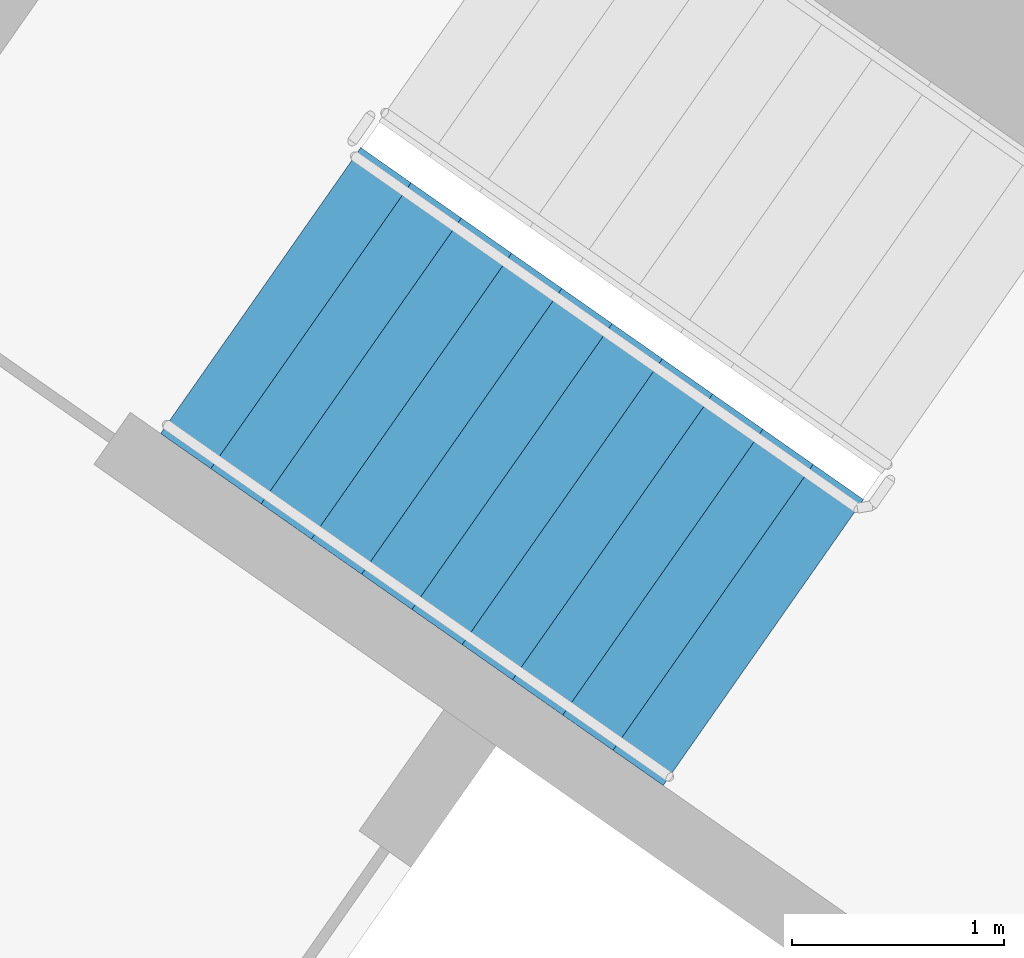
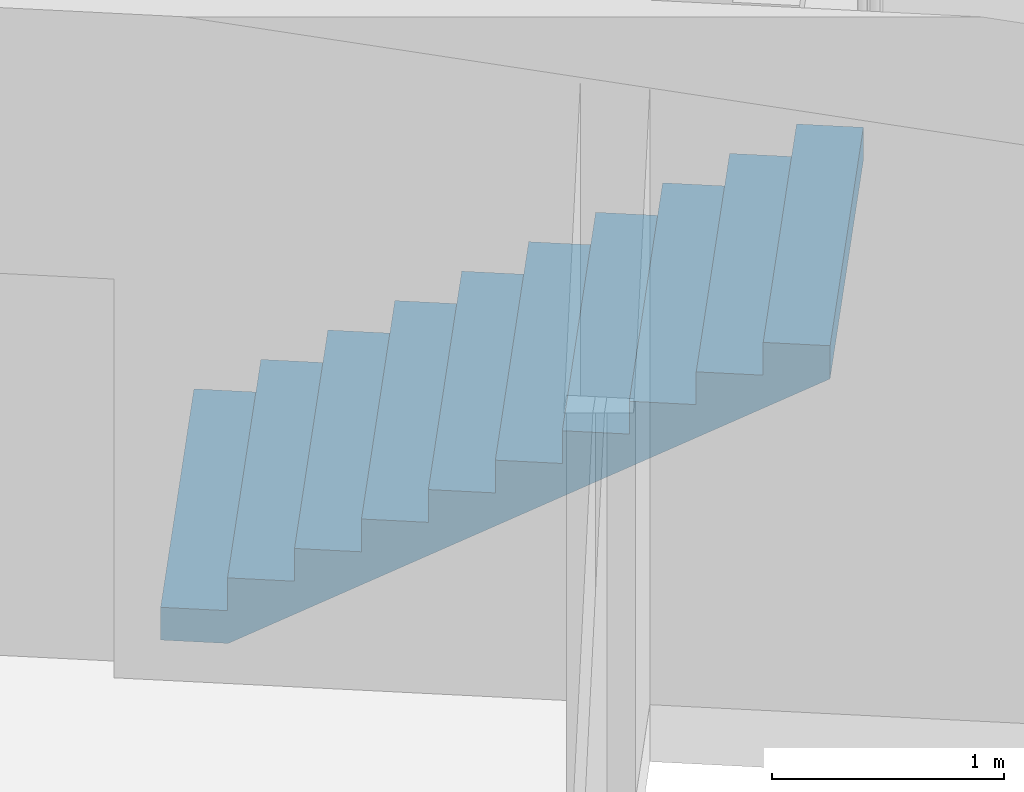
# One storey, part 10 of 29: 1 stair flight, 1 element without a shape of its own.
"""IFC4 building model written with IfcOpenShell, lengths in metres."""

from ifc_helpers import new_model, si_unit, direction, frame, origin, place, context, subcontext, project, spatial, faceted_brep, material, type_object, element, aggregate, save


model = new_model("IFC4")

# Units and contexts
model_context = context("Model", 3, precision=1e-05, world=origin(), true_north=direction((0.0, 1.0)))
body_context = subcontext(model_context, "Body", "Model", "MODEL_VIEW")
ifc_project = project(units=[si_unit("LENGTHUNIT", "METRE"), si_unit("AREAUNIT", "SQUARE_METRE"), si_unit("VOLUMEUNIT", "CUBIC_METRE"), si_unit("PLANEANGLEUNIT", "RADIAN"), si_unit("MASSUNIT", "GRAM", prefix="KILO")], contexts=[model_context])

# Site, building, storey
site_placement = place(None, origin())
site = spatial("IfcSite", under=ifc_project, at=site_placement, CompositionType="ELEMENT")
building_placement = place(site_placement, origin())
building = spatial("IfcBuilding", under=site, at=building_placement, Name="Qamariyya Broadcast Tower", CompositionType="ELEMENT")
storey_placement = place(building_placement, frame((0.0, 0.0, 258.10009765625)))
storey = spatial("IfcBuildingStorey", under=building, at=storey_placement, Name="L62", CompositionType="ELEMENT", Elevation=258.10009765625)

# Stair, stair flight
ifc_material = material(Name="Concrete C50/60", Category="concrete")
stair_type = type_object("IfcStairType", Name="Exit stair 22 risers of 173 mm", PredefinedType="HALF_TURN_STAIR", material=ifc_material)
stair_placement = place(storey_placement, origin())
stair = element("IfcStair", 1, at=stair_placement, inside=storey, type_object=stair_type, Name="L62 Stair W2", PredefinedType="HALF_TURN_STAIR")
stair_flight_type = type_object("IfcStairFlightType", Name="Exit stair flight 11 risers of 173 mm", PredefinedType="STRAIGHT", material=ifc_material)
stair_flight_placement = place(storey_placement, frame((-41.59130859375, -49.15966796875, 0.0), z_axis=(0.0, 0.0, 1.0), x_axis=(0.819152044289, -0.573576436351, 0.0)))
stair_flight = element("IfcStairFlight", 2, at=stair_flight_placement, type_object=stair_flight_type, Name="ST-W2 flight 1", NumberOfRisers=11, NumberOfTreads=10, PredefinedType="STRAIGHT", RiserHeight=0.172727273, TreadLength=0.29, context=body_context, shape_type="Brep", body=[
    faceted_brep([(0.0, 0.824951171875, 0.0), (0.0, 0.824951171875, 0.172607421875), (0.2900390625, 0.824951171875, 0.172607421875), (0.2900390625, 0.824951171875, 0.345458984375), (0.580078125, 0.824951171875, 0.345458984375), (0.580078125, 0.824951171875, 0.51806640625), (0.8701171875, 0.824951171875, 0.51806640625), (0.8701171875, 0.824951171875, 0.69091796875), (1.159912109375, 0.824951171875, 0.69091796875), (1.159912109375, 0.824951171875, 0.863525390625), (1.449951171875, 0.824951171875, 0.863525390625), (1.449951171875, 0.824951171875, 1.036376953125), (1.739990234375, 0.824951171875, 1.036376953125), (1.739990234375, 0.824951171875, 1.208984375), (2.030029296875, 0.824951171875, 1.208984375), (2.030029296875, 0.824951171875, 1.3818359375), (2.320068359375, 0.824951171875, 1.3818359375), (2.320068359375, 0.824951171875, 1.554443359375), (2.610107421875, 0.824951171875, 1.554443359375), (2.610107421875, 0.824951171875, 1.727294921875), (2.89990234375, 0.824951171875, 1.727294921875), (2.89990234375, 0.824951171875, 1.552734375), (0.29296875, 0.824951171875, 0.0), (0.29296875, -0.824951171875, 0.0), (2.89990234375, -0.824951171875, 1.552734375), (2.89990234375, -0.824951171875, 1.727294921875), (2.610107421875, -0.824951171875, 1.727294921875), (2.610107421875, -0.824951171875, 1.554443359375), (2.320068359375, -0.824951171875, 1.554443359375), (2.320068359375, -0.824951171875, 1.3818359375), (2.030029296875, -0.824951171875, 1.3818359375), (2.030029296875, -0.824951171875, 1.208984375), (1.739990234375, -0.824951171875, 1.208984375), (1.739990234375, -0.824951171875, 1.036376953125), (1.449951171875, -0.824951171875, 1.036376953125), (1.449951171875, -0.824951171875, 0.863525390625), (1.159912109375, -0.824951171875, 0.863525390625), (1.159912109375, -0.824951171875, 0.69091796875), (0.8701171875, -0.824951171875, 0.69091796875), (0.8701171875, -0.824951171875, 0.51806640625), (0.580078125, -0.824951171875, 0.51806640625), (0.580078125, -0.824951171875, 0.345458984375), (0.2900390625, -0.824951171875, 0.345458984375), (0.2900390625, -0.824951171875, 0.172607421875), (0.0, -0.824951171875, 0.172607421875), (0.0, -0.824951171875, 0.0), (0.0, 0.10009765625, 0.0), (0.0, 0.086669921875, 0.0), (0.0, 0.0732421875, 0.0), (0.0, 0.06005859375, 0.0), (0.0, 0.046630859375, 0.0), (0.0, 0.033447265625, 0.0), (0.0, 0.02001953125, 0.0), (0.0, 0.006591796875, 0.0), (0.0, -0.006591796875, 0.0), (0.0, -0.02001953125, 0.0), (0.0, -0.033447265625, 0.0), (0.0, -0.046630859375, 0.0), (0.0, -0.06005859375, 0.0), (0.0, -0.0732421875, 0.0), (0.0, -0.086669921875, 0.0), (0.0, -0.10009765625, 0.0), (0.0, -0.10009765625, 0.172607421875), (0.0, -0.086669921875, 0.172607421875), (0.0, -0.0732421875, 0.172607421875), (0.0, -0.06005859375, 0.172607421875), (0.0, -0.046630859375, 0.172607421875), (0.0, -0.033447265625, 0.172607421875), (0.0, -0.02001953125, 0.172607421875), (0.0, -0.006591796875, 0.172607421875), (0.0, 0.006591796875, 0.172607421875), (0.0, 0.02001953125, 0.172607421875), (0.0, 0.033447265625, 0.172607421875), (0.0, 0.046630859375, 0.172607421875), (0.0, 0.06005859375, 0.172607421875), (0.0, 0.0732421875, 0.172607421875), (0.0, 0.086669921875, 0.172607421875), (0.0, 0.10009765625, 0.172607421875), (0.2900390625, -0.10009765625, 0.172607421875), (0.2900390625, -0.086669921875, 0.172607421875), (0.2900390625, -0.0732421875, 0.172607421875), (0.2900390625, -0.06005859375, 0.172607421875), (0.2900390625, -0.046630859375, 0.172607421875), (0.2900390625, -0.033447265625, 0.172607421875), (0.2900390625, -0.02001953125, 0.172607421875), (0.2900390625, -0.006591796875, 0.172607421875), (0.2900390625, 0.006591796875, 0.172607421875), (0.2900390625, 0.02001953125, 0.172607421875), (0.2900390625, 0.033447265625, 0.172607421875), (0.2900390625, 0.046630859375, 0.172607421875), (0.2900390625, 0.06005859375, 0.172607421875), (0.2900390625, 0.0732421875, 0.172607421875), (0.2900390625, 0.086669921875, 0.172607421875), (0.2900390625, 0.10009765625, 0.172607421875), (0.2900390625, -0.10009765625, 0.345458984375), (0.2900390625, -0.086669921875, 0.345458984375), (0.2900390625, -0.0732421875, 0.345458984375), (0.2900390625, -0.06005859375, 0.345458984375), (0.2900390625, -0.046630859375, 0.345458984375), (0.2900390625, -0.033447265625, 0.345458984375), (0.2900390625, -0.02001953125, 0.345458984375), (0.2900390625, -0.006591796875, 0.345458984375), (0.2900390625, 0.006591796875, 0.345458984375), (0.2900390625, 0.02001953125, 0.345458984375), (0.2900390625, 0.033447265625, 0.345458984375), (0.2900390625, 0.046630859375, 0.345458984375), (0.2900390625, 0.06005859375, 0.345458984375), (0.2900390625, 0.0732421875, 0.345458984375), (0.2900390625, 0.086669921875, 0.345458984375), (0.2900390625, 0.10009765625, 0.345458984375), (0.580078125, -0.10009765625, 0.345458984375), (0.580078125, -0.086669921875, 0.345458984375), (0.580078125, -0.0732421875, 0.345458984375), (0.580078125, -0.06005859375, 0.345458984375), (0.580078125, -0.046630859375, 0.345458984375), (0.580078125, -0.033447265625, 0.345458984375), (0.580078125, -0.02001953125, 0.345458984375), (0.580078125, -0.006591796875, 0.345458984375), (0.580078125, 0.006591796875, 0.345458984375), (0.580078125, 0.02001953125, 0.345458984375), (0.580078125, 0.033447265625, 0.345458984375), (0.580078125, 0.046630859375, 0.345458984375), (0.580078125, 0.06005859375, 0.345458984375), (0.580078125, 0.0732421875, 0.345458984375), (0.580078125, 0.086669921875, 0.345458984375), (0.580078125, 0.10009765625, 0.345458984375), (0.580078125, -0.10009765625, 0.51806640625), (0.580078125, -0.086669921875, 0.51806640625), (0.580078125, -0.0732421875, 0.51806640625), (0.580078125, -0.06005859375, 0.51806640625), (0.580078125, -0.046630859375, 0.51806640625), (0.580078125, -0.033447265625, 0.51806640625), (0.580078125, -0.02001953125, 0.51806640625), (0.580078125, -0.006591796875, 0.51806640625), (0.580078125, 0.006591796875, 0.51806640625), (0.580078125, 0.02001953125, 0.51806640625), (0.580078125, 0.033447265625, 0.51806640625), (0.580078125, 0.046630859375, 0.51806640625), (0.580078125, 0.06005859375, 0.51806640625), (0.580078125, 0.0732421875, 0.51806640625), (0.580078125, 0.086669921875, 0.51806640625), (0.580078125, 0.10009765625, 0.51806640625), (0.8701171875, -0.10009765625, 0.51806640625), (0.8701171875, -0.086669921875, 0.51806640625), (0.8701171875, -0.0732421875, 0.51806640625), (0.8701171875, -0.06005859375, 0.51806640625), (0.8701171875, -0.046630859375, 0.51806640625), (0.8701171875, -0.033447265625, 0.51806640625), (0.8701171875, -0.02001953125, 0.51806640625), (0.8701171875, -0.006591796875, 0.51806640625), (0.8701171875, 0.006591796875, 0.51806640625), (0.8701171875, 0.02001953125, 0.51806640625), (0.8701171875, 0.033447265625, 0.51806640625), (0.8701171875, 0.046630859375, 0.51806640625), (0.8701171875, 0.06005859375, 0.51806640625), (0.8701171875, 0.0732421875, 0.51806640625), (0.8701171875, 0.086669921875, 0.51806640625), (0.8701171875, 0.10009765625, 0.51806640625), (0.8701171875, -0.10009765625, 0.69091796875), (0.8701171875, -0.086669921875, 0.69091796875), (0.8701171875, -0.0732421875, 0.69091796875), (0.8701171875, -0.06005859375, 0.69091796875), (0.8701171875, -0.046630859375, 0.69091796875), (0.8701171875, -0.033447265625, 0.69091796875), (0.8701171875, -0.02001953125, 0.69091796875), (0.8701171875, -0.006591796875, 0.69091796875), (0.8701171875, 0.006591796875, 0.69091796875), (0.8701171875, 0.02001953125, 0.69091796875), (0.8701171875, 0.033447265625, 0.69091796875), (0.8701171875, 0.046630859375, 0.69091796875), (0.8701171875, 0.06005859375, 0.69091796875), (0.8701171875, 0.0732421875, 0.69091796875), (0.8701171875, 0.086669921875, 0.69091796875), (0.8701171875, 0.10009765625, 0.69091796875), (1.159912109375, -0.10009765625, 0.69091796875), (1.159912109375, -0.086669921875, 0.69091796875), (1.159912109375, -0.0732421875, 0.69091796875), (1.159912109375, -0.06005859375, 0.69091796875), (1.159912109375, -0.046630859375, 0.69091796875), (1.159912109375, -0.033447265625, 0.69091796875), (1.159912109375, -0.02001953125, 0.69091796875), (1.159912109375, -0.006591796875, 0.69091796875), (1.159912109375, 0.006591796875, 0.69091796875), (1.159912109375, 0.02001953125, 0.69091796875), (1.159912109375, 0.033447265625, 0.69091796875), (1.159912109375, 0.046630859375, 0.69091796875), (1.159912109375, 0.06005859375, 0.69091796875), (1.159912109375, 0.0732421875, 0.69091796875), (1.159912109375, 0.086669921875, 0.69091796875), (1.159912109375, 0.10009765625, 0.69091796875), (1.159912109375, -0.10009765625, 0.863525390625), (1.159912109375, -0.086669921875, 0.863525390625), (1.159912109375, -0.0732421875, 0.863525390625), (1.159912109375, -0.06005859375, 0.863525390625), (1.159912109375, -0.046630859375, 0.863525390625), (1.159912109375, -0.033447265625, 0.863525390625), (1.159912109375, -0.02001953125, 0.863525390625), (1.159912109375, -0.006591796875, 0.863525390625), (1.159912109375, 0.006591796875, 0.863525390625), (1.159912109375, 0.02001953125, 0.863525390625), (1.159912109375, 0.033447265625, 0.863525390625), (1.159912109375, 0.046630859375, 0.863525390625), (1.159912109375, 0.06005859375, 0.863525390625), (1.159912109375, 0.0732421875, 0.863525390625), (1.159912109375, 0.086669921875, 0.863525390625), (1.159912109375, 0.10009765625, 0.863525390625), (1.449951171875, -0.10009765625, 0.863525390625), (1.449951171875, -0.086669921875, 0.863525390625), (1.449951171875, -0.0732421875, 0.863525390625), (1.449951171875, -0.06005859375, 0.863525390625), (1.449951171875, -0.046630859375, 0.863525390625), (1.449951171875, -0.033447265625, 0.863525390625), (1.449951171875, -0.02001953125, 0.863525390625), (1.449951171875, -0.006591796875, 0.863525390625), (1.449951171875, 0.006591796875, 0.863525390625), (1.449951171875, 0.02001953125, 0.863525390625), (1.449951171875, 0.033447265625, 0.863525390625), (1.449951171875, 0.046630859375, 0.863525390625), (1.449951171875, 0.06005859375, 0.863525390625), (1.449951171875, 0.0732421875, 0.863525390625), (1.449951171875, 0.086669921875, 0.863525390625), (1.449951171875, 0.10009765625, 0.863525390625), (1.449951171875, -0.10009765625, 1.036376953125), (1.449951171875, -0.086669921875, 1.036376953125), (1.449951171875, -0.0732421875, 1.036376953125), (1.449951171875, -0.06005859375, 1.036376953125), (1.449951171875, -0.046630859375, 1.036376953125), (1.449951171875, -0.033447265625, 1.036376953125), (1.449951171875, -0.02001953125, 1.036376953125), (1.449951171875, -0.006591796875, 1.036376953125), (1.449951171875, 0.006591796875, 1.036376953125), (1.449951171875, 0.02001953125, 1.036376953125), (1.449951171875, 0.033447265625, 1.036376953125), (1.449951171875, 0.046630859375, 1.036376953125), (1.449951171875, 0.06005859375, 1.036376953125), (1.449951171875, 0.0732421875, 1.036376953125), (1.449951171875, 0.086669921875, 1.036376953125), (1.449951171875, 0.10009765625, 1.036376953125), (1.739990234375, -0.10009765625, 1.036376953125), (1.739990234375, -0.086669921875, 1.036376953125), (1.739990234375, -0.0732421875, 1.036376953125), (1.739990234375, -0.06005859375, 1.036376953125), (1.739990234375, -0.046630859375, 1.036376953125), (1.739990234375, -0.033447265625, 1.036376953125), (1.739990234375, -0.02001953125, 1.036376953125), (1.739990234375, -0.006591796875, 1.036376953125), (1.739990234375, 0.006591796875, 1.036376953125), (1.739990234375, 0.02001953125, 1.036376953125), (1.739990234375, 0.033447265625, 1.036376953125), (1.739990234375, 0.046630859375, 1.036376953125), (1.739990234375, 0.06005859375, 1.036376953125), (1.739990234375, 0.0732421875, 1.036376953125), (1.739990234375, 0.086669921875, 1.036376953125), (1.739990234375, 0.10009765625, 1.036376953125), (1.739990234375, -0.10009765625, 1.208984375), (1.739990234375, -0.086669921875, 1.208984375), (1.739990234375, -0.0732421875, 1.208984375), (1.739990234375, -0.06005859375, 1.208984375), (1.739990234375, -0.046630859375, 1.208984375), (1.739990234375, -0.033447265625, 1.208984375), (1.739990234375, -0.02001953125, 1.208984375), (1.739990234375, -0.006591796875, 1.208984375), (1.739990234375, 0.006591796875, 1.208984375), (1.739990234375, 0.02001953125, 1.208984375), (1.739990234375, 0.033447265625, 1.208984375), (1.739990234375, 0.046630859375, 1.208984375), (1.739990234375, 0.06005859375, 1.208984375), (1.739990234375, 0.0732421875, 1.208984375), (1.739990234375, 0.086669921875, 1.208984375), (1.739990234375, 0.10009765625, 1.208984375), (2.030029296875, -0.10009765625, 1.208984375), (2.030029296875, -0.086669921875, 1.208984375), (2.030029296875, -0.0732421875, 1.208984375), (2.030029296875, -0.06005859375, 1.208984375), (2.030029296875, -0.046630859375, 1.208984375), (2.030029296875, -0.033447265625, 1.208984375), (2.030029296875, -0.02001953125, 1.208984375), (2.030029296875, -0.006591796875, 1.208984375), (2.030029296875, 0.006591796875, 1.208984375), (2.030029296875, 0.02001953125, 1.208984375), (2.030029296875, 0.033447265625, 1.208984375), (2.030029296875, 0.046630859375, 1.208984375), (2.030029296875, 0.06005859375, 1.208984375), (2.030029296875, 0.0732421875, 1.208984375), (2.030029296875, 0.086669921875, 1.208984375), (2.030029296875, 0.10009765625, 1.208984375), (2.030029296875, -0.10009765625, 1.3818359375), (2.030029296875, -0.086669921875, 1.3818359375), (2.030029296875, -0.0732421875, 1.3818359375), (2.030029296875, -0.06005859375, 1.3818359375), (2.030029296875, -0.046630859375, 1.3818359375), (2.030029296875, -0.033447265625, 1.3818359375), (2.030029296875, -0.02001953125, 1.3818359375), (2.030029296875, -0.006591796875, 1.3818359375), (2.030029296875, 0.006591796875, 1.3818359375), (2.030029296875, 0.02001953125, 1.3818359375), (2.030029296875, 0.033447265625, 1.3818359375), (2.030029296875, 0.046630859375, 1.3818359375), (2.030029296875, 0.06005859375, 1.3818359375), (2.030029296875, 0.0732421875, 1.3818359375), (2.030029296875, 0.086669921875, 1.3818359375), (2.030029296875, 0.10009765625, 1.3818359375), (2.320068359375, -0.10009765625, 1.3818359375), (2.320068359375, -0.086669921875, 1.3818359375), (2.320068359375, -0.0732421875, 1.3818359375), (2.320068359375, -0.06005859375, 1.3818359375), (2.320068359375, -0.046630859375, 1.3818359375), (2.320068359375, -0.033447265625, 1.3818359375), (2.320068359375, -0.02001953125, 1.3818359375), (2.320068359375, -0.006591796875, 1.3818359375), (2.320068359375, 0.006591796875, 1.3818359375), (2.320068359375, 0.02001953125, 1.3818359375), (2.320068359375, 0.033447265625, 1.3818359375), (2.320068359375, 0.046630859375, 1.3818359375), (2.320068359375, 0.06005859375, 1.3818359375), (2.320068359375, 0.0732421875, 1.3818359375), (2.320068359375, 0.086669921875, 1.3818359375), (2.320068359375, 0.10009765625, 1.3818359375), (2.320068359375, -0.10009765625, 1.554443359375), (2.320068359375, -0.086669921875, 1.554443359375), (2.320068359375, -0.0732421875, 1.554443359375), (2.320068359375, -0.06005859375, 1.554443359375), (2.320068359375, -0.046630859375, 1.554443359375), (2.320068359375, -0.033447265625, 1.554443359375), (2.320068359375, -0.02001953125, 1.554443359375), (2.320068359375, -0.006591796875, 1.554443359375), (2.320068359375, 0.006591796875, 1.554443359375), (2.320068359375, 0.02001953125, 1.554443359375), (2.320068359375, 0.033447265625, 1.554443359375), (2.320068359375, 0.046630859375, 1.554443359375), (2.320068359375, 0.06005859375, 1.554443359375), (2.320068359375, 0.0732421875, 1.554443359375), (2.320068359375, 0.086669921875, 1.554443359375), (2.320068359375, 0.10009765625, 1.554443359375), (2.610107421875, -0.10009765625, 1.554443359375), (2.610107421875, -0.086669921875, 1.554443359375), (2.610107421875, -0.0732421875, 1.554443359375), (2.610107421875, -0.06005859375, 1.554443359375), (2.610107421875, -0.046630859375, 1.554443359375), (2.610107421875, -0.033447265625, 1.554443359375), (2.610107421875, -0.02001953125, 1.554443359375), (2.610107421875, -0.006591796875, 1.554443359375), (2.610107421875, 0.006591796875, 1.554443359375), (2.610107421875, 0.02001953125, 1.554443359375), (2.610107421875, 0.033447265625, 1.554443359375), (2.610107421875, 0.046630859375, 1.554443359375), (2.610107421875, 0.06005859375, 1.554443359375), (2.610107421875, 0.0732421875, 1.554443359375), (2.610107421875, 0.086669921875, 1.554443359375), (2.610107421875, 0.10009765625, 1.554443359375), (2.610107421875, -0.10009765625, 1.727294921875), (2.610107421875, -0.086669921875, 1.727294921875), (2.610107421875, -0.0732421875, 1.727294921875), (2.610107421875, -0.06005859375, 1.727294921875), (2.610107421875, -0.046630859375, 1.727294921875), (2.610107421875, -0.033447265625, 1.727294921875), (2.610107421875, -0.02001953125, 1.727294921875), (2.610107421875, -0.006591796875, 1.727294921875), (2.610107421875, 0.006591796875, 1.727294921875), (2.610107421875, 0.02001953125, 1.727294921875), (2.610107421875, 0.033447265625, 1.727294921875), (2.610107421875, 0.046630859375, 1.727294921875), (2.610107421875, 0.06005859375, 1.727294921875), (2.610107421875, 0.0732421875, 1.727294921875), (2.610107421875, 0.086669921875, 1.727294921875), (2.610107421875, 0.10009765625, 1.727294921875), (2.89990234375, -0.10009765625, 1.727294921875), (2.89990234375, -0.086669921875, 1.727294921875), (2.89990234375, -0.0732421875, 1.727294921875), (2.89990234375, -0.06005859375, 1.727294921875), (2.89990234375, -0.046630859375, 1.727294921875), (2.89990234375, -0.033447265625, 1.727294921875), (2.89990234375, -0.02001953125, 1.727294921875), (2.89990234375, -0.006591796875, 1.727294921875), (2.89990234375, 0.006591796875, 1.727294921875), (2.89990234375, 0.02001953125, 1.727294921875), (2.89990234375, 0.033447265625, 1.727294921875), (2.89990234375, 0.046630859375, 1.727294921875), (2.89990234375, 0.06005859375, 1.727294921875), (2.89990234375, 0.0732421875, 1.727294921875), (2.89990234375, 0.086669921875, 1.727294921875), (2.89990234375, 0.10009765625, 1.727294921875), (2.89990234375, -0.10009765625, 1.552734375), (2.89990234375, -0.086669921875, 1.552734375), (2.89990234375, -0.0732421875, 1.552734375), (2.89990234375, -0.06005859375, 1.552734375), (2.89990234375, -0.046630859375, 1.552734375), (2.89990234375, -0.033447265625, 1.552734375), (2.89990234375, -0.02001953125, 1.552734375), (2.89990234375, -0.006591796875, 1.552734375), (2.89990234375, 0.006591796875, 1.552734375), (2.89990234375, 0.02001953125, 1.552734375), (2.89990234375, 0.033447265625, 1.552734375), (2.89990234375, 0.046630859375, 1.552734375), (2.89990234375, 0.06005859375, 1.552734375), (2.89990234375, 0.0732421875, 1.552734375), (2.89990234375, 0.086669921875, 1.552734375), (2.89990234375, 0.10009765625, 1.552734375), (0.29296875, -0.10009765625, 0.0), (0.29296875, -0.086669921875, 0.0), (0.29296875, -0.0732421875, 0.0), (0.29296875, -0.06005859375, 0.0), (0.29296875, -0.046630859375, 0.0), (0.29296875, -0.033447265625, 0.0), (0.29296875, -0.02001953125, 0.0), (0.29296875, -0.006591796875, 0.0), (0.29296875, 0.006591796875, 0.0), (0.29296875, 0.02001953125, 0.0), (0.29296875, 0.033447265625, 0.0), (0.29296875, 0.046630859375, 0.0), (0.29296875, 0.06005859375, 0.0), (0.29296875, 0.0732421875, 0.0), (0.29296875, 0.086669921875, 0.0), (0.29296875, 0.10009765625, 0.0)], [[[0, 1, 2, 3, 4, 5, 6, 7, 8, 9, 10, 11, 12, 13, 14, 15, 16, 17, 18, 19, 20, 21, 22]], [[23, 24, 25, 26, 27, 28, 29, 30, 31, 32, 33, 34, 35, 36, 37, 38, 39, 40, 41, 42, 43, 44, 45]], [[0, 46, 47, 48, 49, 50, 51, 52, 53, 54, 55, 56, 57, 58, 59, 60, 61, 45, 44, 62, 63, 64, 65, 66, 67, 68, 69, 70, 71, 72, 73, 74, 75, 76, 77, 1]], [[1, 77, 76, 75, 74, 73, 72, 71, 70, 69, 68, 67, 66, 65, 64, 63, 62, 44, 43, 78, 79, 80, 81, 82, 83, 84, 85, 86, 87, 88, 89, 90, 91, 92, 93, 2]], [[2, 93, 92, 91, 90, 89, 88, 87, 86, 85, 84, 83, 82, 81, 80, 79, 78, 43, 42, 94, 95, 96, 97, 98, 99, 100, 101, 102, 103, 104, 105, 106, 107, 108, 109, 3]], [[3, 109, 108, 107, 106, 105, 104, 103, 102, 101, 100, 99, 98, 97, 96, 95, 94, 42, 41, 110, 111, 112, 113, 114, 115, 116, 117, 118, 119, 120, 121, 122, 123, 124, 125, 4]], [[4, 125, 124, 123, 122, 121, 120, 119, 118, 117, 116, 115, 114, 113, 112, 111, 110, 41, 40, 126, 127, 128, 129, 130, 131, 132, 133, 134, 135, 136, 137, 138, 139, 140, 141, 5]], [[5, 141, 140, 139, 138, 137, 136, 135, 134, 133, 132, 131, 130, 129, 128, 127, 126, 40, 39, 142, 143, 144, 145, 146, 147, 148, 149, 150, 151, 152, 153, 154, 155, 156, 157, 6]], [[6, 157, 156, 155, 154, 153, 152, 151, 150, 149, 148, 147, 146, 145, 144, 143, 142, 39, 38, 158, 159, 160, 161, 162, 163, 164, 165, 166, 167, 168, 169, 170, 171, 172, 173, 7]], [[7, 173, 172, 171, 170, 169, 168, 167, 166, 165, 164, 163, 162, 161, 160, 159, 158, 38, 37, 174, 175, 176, 177, 178, 179, 180, 181, 182, 183, 184, 185, 186, 187, 188, 189, 8]], [[8, 189, 188, 187, 186, 185, 184, 183, 182, 181, 180, 179, 178, 177, 176, 175, 174, 37, 36, 190, 191, 192, 193, 194, 195, 196, 197, 198, 199, 200, 201, 202, 203, 204, 205, 9]], [[9, 205, 204, 203, 202, 201, 200, 199, 198, 197, 196, 195, 194, 193, 192, 191, 190, 36, 35, 206, 207, 208, 209, 210, 211, 212, 213, 214, 215, 216, 217, 218, 219, 220, 221, 10]], [[10, 221, 220, 219, 218, 217, 216, 215, 214, 213, 212, 211, 210, 209, 208, 207, 206, 35, 34, 222, 223, 224, 225, 226, 227, 228, 229, 230, 231, 232, 233, 234, 235, 236, 237, 11]], [[11, 237, 236, 235, 234, 233, 232, 231, 230, 229, 228, 227, 226, 225, 224, 223, 222, 34, 33, 238, 239, 240, 241, 242, 243, 244, 245, 246, 247, 248, 249, 250, 251, 252, 253, 12]], [[12, 253, 252, 251, 250, 249, 248, 247, 246, 245, 244, 243, 242, 241, 240, 239, 238, 33, 32, 254, 255, 256, 257, 258, 259, 260, 261, 262, 263, 264, 265, 266, 267, 268, 269, 13]], [[13, 269, 268, 267, 266, 265, 264, 263, 262, 261, 260, 259, 258, 257, 256, 255, 254, 32, 31, 270, 271, 272, 273, 274, 275, 276, 277, 278, 279, 280, 281, 282, 283, 284, 285, 14]], [[14, 285, 284, 283, 282, 281, 280, 279, 278, 277, 276, 275, 274, 273, 272, 271, 270, 31, 30, 286, 287, 288, 289, 290, 291, 292, 293, 294, 295, 296, 297, 298, 299, 300, 301, 15]], [[15, 301, 300, 299, 298, 297, 296, 295, 294, 293, 292, 291, 290, 289, 288, 287, 286, 30, 29, 302, 303, 304, 305, 306, 307, 308, 309, 310, 311, 312, 313, 314, 315, 316, 317, 16]], [[16, 317, 316, 315, 314, 313, 312, 311, 310, 309, 308, 307, 306, 305, 304, 303, 302, 29, 28, 318, 319, 320, 321, 322, 323, 324, 325, 326, 327, 328, 329, 330, 331, 332, 333, 17]], [[17, 333, 332, 331, 330, 329, 328, 327, 326, 325, 324, 323, 322, 321, 320, 319, 318, 28, 27, 334, 335, 336, 337, 338, 339, 340, 341, 342, 343, 344, 345, 346, 347, 348, 349, 18]], [[18, 349, 348, 347, 346, 345, 344, 343, 342, 341, 340, 339, 338, 337, 336, 335, 334, 27, 26, 350, 351, 352, 353, 354, 355, 356, 357, 358, 359, 360, 361, 362, 363, 364, 365, 19]], [[19, 365, 364, 363, 362, 361, 360, 359, 358, 357, 356, 355, 354, 353, 352, 351, 350, 26, 25, 366, 367, 368, 369, 370, 371, 372, 373, 374, 375, 376, 377, 378, 379, 380, 381, 20]], [[20, 381, 380, 379, 378, 377, 376, 375, 374, 373, 372, 371, 370, 369, 368, 367, 366, 25, 24, 382, 383, 384, 385, 386, 387, 388, 389, 390, 391, 392, 393, 394, 395, 396, 397, 21]], [[21, 397, 396, 395, 394, 393, 392, 391, 390, 389, 388, 387, 386, 385, 384, 383, 382, 24, 23, 398, 399, 400, 401, 402, 403, 404, 405, 406, 407, 408, 409, 410, 411, 412, 413, 22]], [[22, 413, 412, 411, 410, 409, 408, 407, 406, 405, 404, 403, 402, 401, 400, 399, 398, 23, 45, 61, 60, 59, 58, 57, 56, 55, 54, 53, 52, 51, 50, 49, 48, 47, 46, 0]]]),
])
aggregate(stair, [stair_flight])

save(model, "model.ifc")
